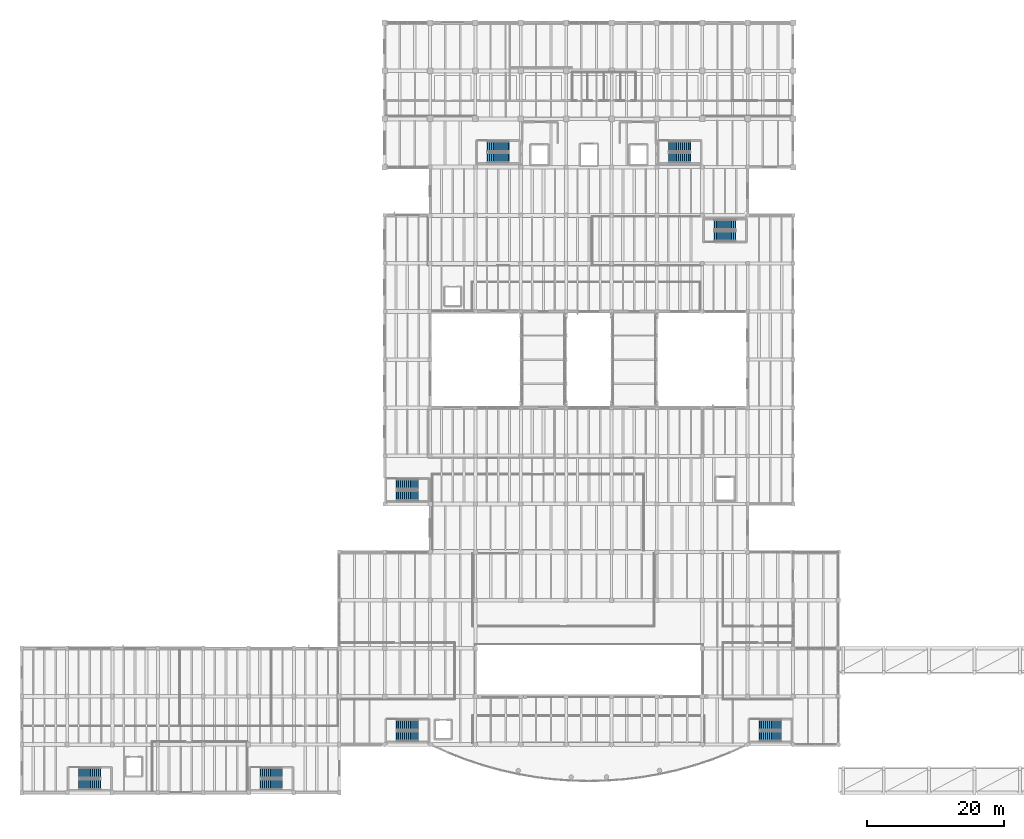
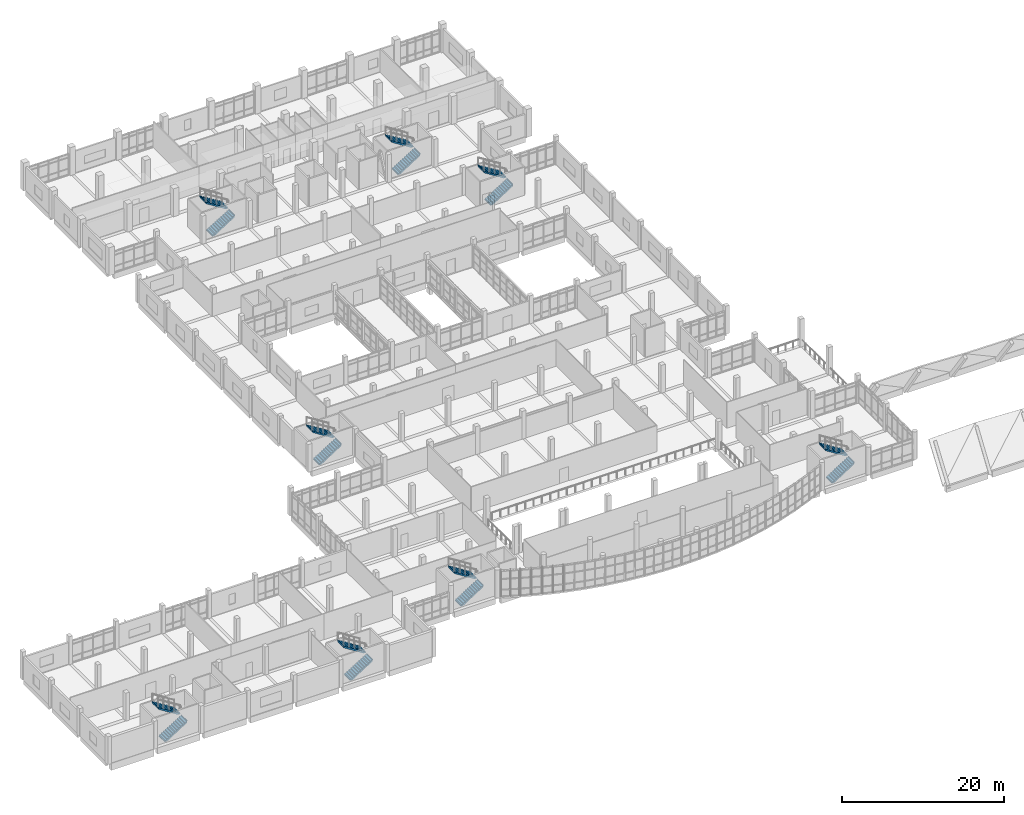
# One storey, part 56 of 67: 16 stair flights, 8 elements without a shape of their own.
"""IFC4 building model written with IfcOpenShell, lengths in metres."""

from ifc_helpers import new_model, si_unit, direction, frame, origin, place, context, subcontext, project, spatial, polyline, outline, extrude, material, type_object, element, aggregate, save


model = new_model("IFC4")

# Units and contexts
model_context = context("Model", 3, precision=1e-05, world=origin(), true_north=direction((0.0, 1.0)))
body_context = subcontext(model_context, "Body", "Model", "MODEL_VIEW")
ifc_project = project(units=[si_unit("LENGTHUNIT", "METRE"), si_unit("AREAUNIT", "SQUARE_METRE"), si_unit("VOLUMEUNIT", "CUBIC_METRE"), si_unit("PLANEANGLEUNIT", "RADIAN"), si_unit("MASSUNIT", "GRAM", prefix="KILO")], contexts=[model_context])

# Site, building, storey
site_placement = place(None, origin())
site = spatial("IfcSite", under=ifc_project, at=site_placement, CompositionType="ELEMENT")
building_placement = place(site_placement, origin())
building = spatial("IfcBuilding", under=site, at=building_placement, Name="Ciguamira Faculty of Natural Sciences", CompositionType="ELEMENT")
storey_placement = place(building_placement, frame((0.0, 0.0, 8.39990234375)))
storey = spatial("IfcBuildingStorey", under=building, at=storey_placement, Name="L02", CompositionType="ELEMENT", Elevation=8.39990234375)

# Stair, stair flights
ifc_material_1 = material(Name="Concrete C40/50", Category="concrete")
stair_type_1 = type_object("IfcStairType", Name="Stair_STR-01", PredefinedType="HALF_TURN_STAIR", material=ifc_material_1)
stair_1_placement = place(storey_placement, origin())
stair_1 = element("IfcStair", 1, at=stair_1_placement, inside=storey, type_object=stair_type_1, Name="L02 Tower West Exit Stair", PredefinedType="HALF_TURN_STAIR")
ifc_material_2 = material(Name="Precast concrete C40/50", Category="concrete")
stair_flight_type_1 = type_object("IfcStairFlightType", Name="StairFlight_SFL-01", PredefinedType="STRAIGHT", material=ifc_material_2)
stair_flight_1_placement = place(storey_placement, frame((72.260009765625, 95.35009765625, 0.0), z_axis=(0.0, 0.0, 1.0), x_axis=(1.0, 0.0, 0.0)))
stair_flight_1 = element("IfcStairFlight", 2, at=stair_flight_1_placement, type_object=stair_flight_type_1, Name="ST-T1 flight 1", NumberOfRisers=12, NumberOfTreads=11, PredefinedType="STRAIGHT", RiserHeight=0.175, TreadLength=0.28, context=body_context, shape_type="SweptSolid", body=[
    extrude(outline(polyline([(-0.080078125, -0.034912109375), (-0.080078125, 0.0), (0.0, 0.0), (0.0, 0.175048828125), (0.280029296875, 0.175048828125), (0.280029296875, 0.35009765625), (0.56005859375, 0.35009765625), (0.56005859375, 0.52490234375), (0.840087890625, 0.52490234375), (0.840087890625, 0.699951171875), (1.1201171875, 0.699951171875), (1.1201171875, 0.875), (1.39990234375, 0.875), (1.39990234375, 1.050048828125), (1.679931640625, 1.050048828125), (1.679931640625, 1.22509765625), (1.9599609375, 1.22509765625), (1.9599609375, 1.39990234375), (2.239990234375, 1.39990234375), (2.239990234375, 1.574951171875), (2.52001953125, 1.574951171875), (2.52001953125, 1.75), (2.800048828125, 1.75), (2.800048828125, 1.925048828125), (3.080078125, 1.925048828125), (3.080078125, 2.10009765625), (3.16015625, 2.10009765625), (3.16015625, 2.065185546875), (3.080078125, 1.748291015625), (0.28271484375, -0.034912109375), (-0.080078125, -0.034912109375)])), frame((0.0, 0.75, 0.0), z_axis=(0.0, -1.0, 0.0), x_axis=(1.0, 0.0, 0.0)), (0.0, 0.0, 1.0), 1.5),
])
stair_flight_2_placement = place(storey_placement, frame((75.340087890625, 97.010009765625, 2.10009765625), z_axis=(0.0, 0.0, 1.0), x_axis=(-1.0, 0.0, 0.0)))
stair_flight_2 = element("IfcStairFlight", 3, at=stair_flight_2_placement, type_object=stair_flight_type_1, Name="ST-T1 flight 2", NumberOfRisers=12, NumberOfTreads=11, PredefinedType="STRAIGHT", RiserHeight=0.175, TreadLength=0.28, context=body_context, shape_type="SweptSolid", body=[
    extrude(outline(polyline([(-0.080078125, -0.034912109375), (-0.080078125, 0.0), (0.0, 0.0), (0.0, 0.175048828125), (0.280029296875, 0.175048828125), (0.280029296875, 0.35009765625), (0.56005859375, 0.35009765625), (0.56005859375, 0.52490234375), (0.840087890625, 0.52490234375), (0.840087890625, 0.699951171875), (1.1201171875, 0.699951171875), (1.1201171875, 0.875), (1.39990234375, 0.875), (1.39990234375, 1.050048828125), (1.679931640625, 1.050048828125), (1.679931640625, 1.22509765625), (1.9599609375, 1.22509765625), (1.9599609375, 1.39990234375), (2.239990234375, 1.39990234375), (2.239990234375, 1.574951171875), (2.52001953125, 1.574951171875), (2.52001953125, 1.75), (2.800048828125, 1.75), (2.800048828125, 1.925048828125), (3.080078125, 1.925048828125), (3.080078125, 2.10009765625), (3.16015625, 2.10009765625), (3.16015625, 2.065185546875), (3.080078125, 1.748291015625), (0.28271484375, -0.034912109375), (-0.080078125, -0.034912109375)])), frame((0.0, 0.75, 0.0), z_axis=(0.0, -1.0, 0.0), x_axis=(1.0, 0.0, 0.0)), (0.0, 0.0, 1.0), 1.5),
])
aggregate(stair_1, [stair_flight_1, stair_flight_2])

stair_2_placement = place(storey_placement, origin())
stair_2 = element("IfcStair", 4, at=stair_2_placement, inside=storey, type_object=stair_type_1, Name="L02 Atrium West Exit Stair", PredefinedType="HALF_TURN_STAIR")
stair_flight_3_placement = place(storey_placement, frame((59.06005859375, 11.199951171875, 0.0), z_axis=(0.0, 0.0, 1.0), x_axis=(1.0, 0.0, 0.0)))
stair_flight_3 = element("IfcStairFlight", 5, at=stair_flight_3_placement, type_object=stair_flight_type_1, Name="ST-A1 flight 1", NumberOfRisers=12, NumberOfTreads=11, PredefinedType="STRAIGHT", RiserHeight=0.175, TreadLength=0.28, context=body_context, shape_type="SweptSolid", body=[
    extrude(outline(polyline([(-0.080078125, -0.034912109375), (-0.080078125, 0.0), (0.0, 0.0), (0.0, 0.175048828125), (0.280029296875, 0.175048828125), (0.280029296875, 0.35009765625), (0.56005859375, 0.35009765625), (0.56005859375, 0.52490234375), (0.840087890625, 0.52490234375), (0.840087890625, 0.699951171875), (1.1201171875, 0.699951171875), (1.1201171875, 0.875), (1.39990234375, 0.875), (1.39990234375, 1.050048828125), (1.679931640625, 1.050048828125), (1.679931640625, 1.22509765625), (1.9599609375, 1.22509765625), (1.9599609375, 1.39990234375), (2.239990234375, 1.39990234375), (2.239990234375, 1.574951171875), (2.52001953125, 1.574951171875), (2.52001953125, 1.75), (2.800048828125, 1.75), (2.800048828125, 1.925048828125), (3.080078125, 1.925048828125), (3.080078125, 2.10009765625), (3.16015625, 2.10009765625), (3.16015625, 2.065185546875), (3.080078125, 1.748291015625), (0.28271484375, -0.034912109375), (-0.080078125, -0.034912109375)])), frame((0.0, 0.75, 0.0), z_axis=(0.0, -1.0, 0.0), x_axis=(1.0, 0.0, 0.0)), (0.0, 0.0, 1.0), 1.5),
])
stair_flight_4_placement = place(storey_placement, frame((62.139892578125, 12.860107421875, 2.10009765625), z_axis=(0.0, 0.0, 1.0), x_axis=(-1.0, 0.0, 0.0)))
stair_flight_4 = element("IfcStairFlight", 6, at=stair_flight_4_placement, type_object=stair_flight_type_1, Name="ST-A1 flight 2", NumberOfRisers=12, NumberOfTreads=11, PredefinedType="STRAIGHT", RiserHeight=0.175, TreadLength=0.28, context=body_context, shape_type="SweptSolid", body=[
    extrude(outline(polyline([(-0.080078125, -0.034912109375), (-0.080078125, 0.0), (0.0, 0.0), (0.0, 0.175048828125), (0.280029296875, 0.175048828125), (0.280029296875, 0.35009765625), (0.56005859375, 0.35009765625), (0.56005859375, 0.52490234375), (0.840087890625, 0.52490234375), (0.840087890625, 0.699951171875), (1.1201171875, 0.699951171875), (1.1201171875, 0.875), (1.39990234375, 0.875), (1.39990234375, 1.050048828125), (1.679931640625, 1.050048828125), (1.679931640625, 1.22509765625), (1.9599609375, 1.22509765625), (1.9599609375, 1.39990234375), (2.239990234375, 1.39990234375), (2.239990234375, 1.574951171875), (2.52001953125, 1.574951171875), (2.52001953125, 1.75), (2.800048828125, 1.75), (2.800048828125, 1.925048828125), (3.080078125, 1.925048828125), (3.080078125, 2.10009765625), (3.16015625, 2.10009765625), (3.16015625, 2.065185546875), (3.080078125, 1.748291015625), (0.28271484375, -0.034912109375), (-0.080078125, -0.034912109375)])), frame((0.0, 0.75, 0.0), z_axis=(0.0, -1.0, 0.0), x_axis=(1.0, 0.0, 0.0)), (0.0, 0.0, 1.0), 1.5),
])
aggregate(stair_2, [stair_flight_3, stair_flight_4])

stair_3_placement = place(storey_placement, origin())
stair_3 = element("IfcStair", 7, at=stair_3_placement, inside=storey, type_object=stair_type_1, Name="L02 Commons West Exit Stair", PredefinedType="HALF_TURN_STAIR")
stair_flight_5_placement = place(storey_placement, frame((12.860107421875, 4.199951171875, 0.0), z_axis=(0.0, 0.0, 1.0), x_axis=(1.0, 0.0, 0.0)))
stair_flight_5 = element("IfcStairFlight", 8, at=stair_flight_5_placement, type_object=stair_flight_type_1, Name="ST-C1 flight 1", NumberOfRisers=12, NumberOfTreads=11, PredefinedType="STRAIGHT", RiserHeight=0.175, TreadLength=0.28, context=body_context, shape_type="SweptSolid", body=[
    extrude(outline(polyline([(-0.080078125, -0.034912109375), (-0.080078125, 0.0), (0.0, 0.0), (0.0, 0.175048828125), (0.280029296875, 0.175048828125), (0.280029296875, 0.35009765625), (0.56005859375, 0.35009765625), (0.56005859375, 0.52490234375), (0.840087890625, 0.52490234375), (0.840087890625, 0.699951171875), (1.1201171875, 0.699951171875), (1.1201171875, 0.875), (1.39990234375, 0.875), (1.39990234375, 1.050048828125), (1.679931640625, 1.050048828125), (1.679931640625, 1.22509765625), (1.9599609375, 1.22509765625), (1.9599609375, 1.39990234375), (2.239990234375, 1.39990234375), (2.239990234375, 1.574951171875), (2.52001953125, 1.574951171875), (2.52001953125, 1.75), (2.800048828125, 1.75), (2.800048828125, 1.925048828125), (3.080078125, 1.925048828125), (3.080078125, 2.10009765625), (3.16015625, 2.10009765625), (3.16015625, 2.065185546875), (3.080078125, 1.748291015625), (0.28271484375, -0.034912109375), (-0.080078125, -0.034912109375)])), frame((0.0, 0.75, 0.0), z_axis=(0.0, -1.0, 0.0), x_axis=(1.0, 0.0, 0.0)), (0.0, 0.0, 1.0), 1.5),
])
stair_flight_6_placement = place(storey_placement, frame((15.93994140625, 5.860107421875, 2.10009765625), z_axis=(0.0, 0.0, 1.0), x_axis=(-1.0, 0.0, 0.0)))
stair_flight_6 = element("IfcStairFlight", 9, at=stair_flight_6_placement, type_object=stair_flight_type_1, Name="ST-C1 flight 2", NumberOfRisers=12, NumberOfTreads=11, PredefinedType="STRAIGHT", RiserHeight=0.175, TreadLength=0.28, context=body_context, shape_type="SweptSolid", body=[
    extrude(outline(polyline([(-0.080078125, -0.034912109375), (-0.080078125, 0.0), (0.0, 0.0), (0.0, 0.175048828125), (0.280029296875, 0.175048828125), (0.280029296875, 0.35009765625), (0.56005859375, 0.35009765625), (0.56005859375, 0.52490234375), (0.840087890625, 0.52490234375), (0.840087890625, 0.699951171875), (1.1201171875, 0.699951171875), (1.1201171875, 0.875), (1.39990234375, 0.875), (1.39990234375, 1.050048828125), (1.679931640625, 1.050048828125), (1.679931640625, 1.22509765625), (1.9599609375, 1.22509765625), (1.9599609375, 1.39990234375), (2.239990234375, 1.39990234375), (2.239990234375, 1.574951171875), (2.52001953125, 1.574951171875), (2.52001953125, 1.75), (2.800048828125, 1.75), (2.800048828125, 1.925048828125), (3.080078125, 1.925048828125), (3.080078125, 2.10009765625), (3.16015625, 2.10009765625), (3.16015625, 2.065185546875), (3.080078125, 1.748291015625), (0.28271484375, -0.034912109375), (-0.080078125, -0.034912109375)])), frame((0.0, 0.75, 0.0), z_axis=(0.0, -1.0, 0.0), x_axis=(1.0, 0.0, 0.0)), (0.0, 0.0, 1.0), 1.5),
])
aggregate(stair_3, [stair_flight_5, stair_flight_6])

stair_4_placement = place(storey_placement, origin())
stair_4 = element("IfcStair", 10, at=stair_4_placement, inside=storey, type_object=stair_type_1, Name="L02 Wave Labs South-West Exit Stair", PredefinedType="HALF_TURN_STAIR")
stair_flight_7_placement = place(storey_placement, frame((59.06005859375, 46.199951171875, 0.0), z_axis=(0.0, 0.0, 1.0), x_axis=(1.0, 0.0, 0.0)))
stair_flight_7 = element("IfcStairFlight", 11, at=stair_flight_7_placement, type_object=stair_flight_type_1, Name="ST-W1 flight 1", NumberOfRisers=12, NumberOfTreads=11, PredefinedType="STRAIGHT", RiserHeight=0.175, TreadLength=0.28, context=body_context, shape_type="SweptSolid", body=[
    extrude(outline(polyline([(-0.080078125, -0.034912109375), (-0.080078125, 0.0), (0.0, 0.0), (0.0, 0.175048828125), (0.280029296875, 0.175048828125), (0.280029296875, 0.35009765625), (0.56005859375, 0.35009765625), (0.56005859375, 0.52490234375), (0.840087890625, 0.52490234375), (0.840087890625, 0.699951171875), (1.1201171875, 0.699951171875), (1.1201171875, 0.875), (1.39990234375, 0.875), (1.39990234375, 1.050048828125), (1.679931640625, 1.050048828125), (1.679931640625, 1.22509765625), (1.9599609375, 1.22509765625), (1.9599609375, 1.39990234375), (2.239990234375, 1.39990234375), (2.239990234375, 1.574951171875), (2.52001953125, 1.574951171875), (2.52001953125, 1.75), (2.800048828125, 1.75), (2.800048828125, 1.925048828125), (3.080078125, 1.925048828125), (3.080078125, 2.10009765625), (3.16015625, 2.10009765625), (3.16015625, 2.065185546875), (3.080078125, 1.748291015625), (0.28271484375, -0.034912109375), (-0.080078125, -0.034912109375)])), frame((0.0, 0.75, 0.0), z_axis=(0.0, -1.0, 0.0), x_axis=(1.0, 0.0, 0.0)), (0.0, 0.0, 1.0), 1.5),
])
stair_flight_8_placement = place(storey_placement, frame((62.139892578125, 47.860107421875, 2.10009765625), z_axis=(0.0, 0.0, 1.0), x_axis=(-1.0, 0.0, 0.0)))
stair_flight_8 = element("IfcStairFlight", 12, at=stair_flight_8_placement, type_object=stair_flight_type_1, Name="ST-W1 flight 2", NumberOfRisers=12, NumberOfTreads=11, PredefinedType="STRAIGHT", RiserHeight=0.175, TreadLength=0.28, context=body_context, shape_type="SweptSolid", body=[
    extrude(outline(polyline([(-0.080078125, -0.034912109375), (-0.080078125, 0.0), (0.0, 0.0), (0.0, 0.175048828125), (0.280029296875, 0.175048828125), (0.280029296875, 0.35009765625), (0.56005859375, 0.35009765625), (0.56005859375, 0.52490234375), (0.840087890625, 0.52490234375), (0.840087890625, 0.699951171875), (1.1201171875, 0.699951171875), (1.1201171875, 0.875), (1.39990234375, 0.875), (1.39990234375, 1.050048828125), (1.679931640625, 1.050048828125), (1.679931640625, 1.22509765625), (1.9599609375, 1.22509765625), (1.9599609375, 1.39990234375), (2.239990234375, 1.39990234375), (2.239990234375, 1.574951171875), (2.52001953125, 1.574951171875), (2.52001953125, 1.75), (2.800048828125, 1.75), (2.800048828125, 1.925048828125), (3.080078125, 1.925048828125), (3.080078125, 2.10009765625), (3.16015625, 2.10009765625), (3.16015625, 2.065185546875), (3.080078125, 1.748291015625), (0.28271484375, -0.034912109375), (-0.080078125, -0.034912109375)])), frame((0.0, 0.75, 0.0), z_axis=(0.0, -1.0, 0.0), x_axis=(1.0, 0.0, 0.0)), (0.0, 0.0, 1.0), 1.5),
])
aggregate(stair_4, [stair_flight_7, stair_flight_8])

stair_type_2 = type_object("IfcStairType", Name="Stair_STR-02", PredefinedType="HALF_TURN_STAIR", material=ifc_material_1)
stair_5_placement = place(storey_placement, origin())
stair_5 = element("IfcStair", 13, at=stair_5_placement, inside=storey, type_object=stair_type_2, Name="L02 Tower East Exit Stair", PredefinedType="HALF_TURN_STAIR")
stair_flight_type_2 = type_object("IfcStairFlightType", Name="StairFlight_SFL-02", PredefinedType="STRAIGHT", material=ifc_material_2)
stair_flight_9_placement = place(storey_placement, frame((98.659912109375, 95.35009765625, 0.0), z_axis=(0.0, 0.0, 1.0), x_axis=(1.0, 0.0, 0.0)))
stair_flight_9 = element("IfcStairFlight", 14, at=stair_flight_9_placement, type_object=stair_flight_type_2, Name="ST-T2 flight 1", NumberOfRisers=12, NumberOfTreads=11, PredefinedType="STRAIGHT", RiserHeight=0.175, TreadLength=0.28, context=body_context, shape_type="SweptSolid", body=[
    extrude(outline(polyline([(-0.080078125, -0.034912109375), (-0.080078125, 0.0), (0.0, 0.0), (0.0, 0.175048828125), (0.280029296875, 0.175048828125), (0.280029296875, 0.35009765625), (0.56005859375, 0.35009765625), (0.56005859375, 0.52490234375), (0.840087890625, 0.52490234375), (0.840087890625, 0.699951171875), (1.1201171875, 0.699951171875), (1.1201171875, 0.875), (1.39990234375, 0.875), (1.39990234375, 1.050048828125), (1.679931640625, 1.050048828125), (1.679931640625, 1.22509765625), (1.9599609375, 1.22509765625), (1.9599609375, 1.39990234375), (2.239990234375, 1.39990234375), (2.239990234375, 1.574951171875), (2.52001953125, 1.574951171875), (2.52001953125, 1.75), (2.800048828125, 1.75), (2.800048828125, 1.925048828125), (3.080078125, 1.925048828125), (3.080078125, 2.10009765625), (3.16015625, 2.10009765625), (3.16015625, 2.065185546875), (3.080078125, 1.748291015625), (0.28271484375, -0.034912109375), (-0.080078125, -0.034912109375)])), frame((0.0, 0.75, 0.0), z_axis=(0.0, -1.0, 0.0), x_axis=(1.0, 0.0, 0.0)), (0.0, 0.0, 1.0), 1.5),
])
stair_flight_10_placement = place(storey_placement, frame((101.739990234375, 97.010009765625, 2.10009765625), z_axis=(0.0, 0.0, 1.0), x_axis=(-1.0, 0.0, 0.0)))
stair_flight_10 = element("IfcStairFlight", 15, at=stair_flight_10_placement, type_object=stair_flight_type_2, Name="ST-T2 flight 2", NumberOfRisers=12, NumberOfTreads=11, PredefinedType="STRAIGHT", RiserHeight=0.175, TreadLength=0.28, context=body_context, shape_type="SweptSolid", body=[
    extrude(outline(polyline([(-0.080078125, -0.034912109375), (-0.080078125, 0.0), (0.0, 0.0), (0.0, 0.175048828125), (0.280029296875, 0.175048828125), (0.280029296875, 0.35009765625), (0.56005859375, 0.35009765625), (0.56005859375, 0.52490234375), (0.840087890625, 0.52490234375), (0.840087890625, 0.699951171875), (1.1201171875, 0.699951171875), (1.1201171875, 0.875), (1.39990234375, 0.875), (1.39990234375, 1.050048828125), (1.679931640625, 1.050048828125), (1.679931640625, 1.22509765625), (1.9599609375, 1.22509765625), (1.9599609375, 1.39990234375), (2.239990234375, 1.39990234375), (2.239990234375, 1.574951171875), (2.52001953125, 1.574951171875), (2.52001953125, 1.75), (2.800048828125, 1.75), (2.800048828125, 1.925048828125), (3.080078125, 1.925048828125), (3.080078125, 2.10009765625), (3.16015625, 2.10009765625), (3.16015625, 2.065185546875), (3.080078125, 1.748291015625), (0.28271484375, -0.034912109375), (-0.080078125, -0.034912109375)])), frame((0.0, 0.75, 0.0), z_axis=(0.0, -1.0, 0.0), x_axis=(1.0, 0.0, 0.0)), (0.0, 0.0, 1.0), 1.5),
])
aggregate(stair_5, [stair_flight_9, stair_flight_10])

stair_6_placement = place(storey_placement, origin())
stair_6 = element("IfcStair", 16, at=stair_6_placement, inside=storey, type_object=stair_type_2, Name="L02 Atrium East Exit Stair", PredefinedType="HALF_TURN_STAIR")
stair_flight_11_placement = place(storey_placement, frame((111.860107421875, 11.199951171875, 0.0), z_axis=(0.0, 0.0, 1.0), x_axis=(1.0, 0.0, 0.0)))
stair_flight_11 = element("IfcStairFlight", 17, at=stair_flight_11_placement, type_object=stair_flight_type_2, Name="ST-A2 flight 1", NumberOfRisers=12, NumberOfTreads=11, PredefinedType="STRAIGHT", RiserHeight=0.175, TreadLength=0.28, context=body_context, shape_type="SweptSolid", body=[
    extrude(outline(polyline([(-0.080078125, -0.034912109375), (-0.080078125, 0.0), (0.0, 0.0), (0.0, 0.175048828125), (0.280029296875, 0.175048828125), (0.280029296875, 0.35009765625), (0.56005859375, 0.35009765625), (0.56005859375, 0.52490234375), (0.840087890625, 0.52490234375), (0.840087890625, 0.699951171875), (1.1201171875, 0.699951171875), (1.1201171875, 0.875), (1.39990234375, 0.875), (1.39990234375, 1.050048828125), (1.679931640625, 1.050048828125), (1.679931640625, 1.22509765625), (1.9599609375, 1.22509765625), (1.9599609375, 1.39990234375), (2.239990234375, 1.39990234375), (2.239990234375, 1.574951171875), (2.52001953125, 1.574951171875), (2.52001953125, 1.75), (2.800048828125, 1.75), (2.800048828125, 1.925048828125), (3.080078125, 1.925048828125), (3.080078125, 2.10009765625), (3.16015625, 2.10009765625), (3.16015625, 2.065185546875), (3.080078125, 1.748291015625), (0.28271484375, -0.034912109375), (-0.080078125, -0.034912109375)])), frame((0.0, 0.75, 0.0), z_axis=(0.0, -1.0, 0.0), x_axis=(1.0, 0.0, 0.0)), (0.0, 0.0, 1.0), 1.5),
])
stair_flight_12_placement = place(storey_placement, frame((114.93994140625, 12.860107421875, 2.10009765625), z_axis=(0.0, 0.0, 1.0), x_axis=(-1.0, 0.0, 0.0)))
stair_flight_12 = element("IfcStairFlight", 18, at=stair_flight_12_placement, type_object=stair_flight_type_2, Name="ST-A2 flight 2", NumberOfRisers=12, NumberOfTreads=11, PredefinedType="STRAIGHT", RiserHeight=0.175, TreadLength=0.28, context=body_context, shape_type="SweptSolid", body=[
    extrude(outline(polyline([(-0.080078125, -0.034912109375), (-0.080078125, 0.0), (0.0, 0.0), (0.0, 0.175048828125), (0.280029296875, 0.175048828125), (0.280029296875, 0.35009765625), (0.56005859375, 0.35009765625), (0.56005859375, 0.52490234375), (0.840087890625, 0.52490234375), (0.840087890625, 0.699951171875), (1.1201171875, 0.699951171875), (1.1201171875, 0.875), (1.39990234375, 0.875), (1.39990234375, 1.050048828125), (1.679931640625, 1.050048828125), (1.679931640625, 1.22509765625), (1.9599609375, 1.22509765625), (1.9599609375, 1.39990234375), (2.239990234375, 1.39990234375), (2.239990234375, 1.574951171875), (2.52001953125, 1.574951171875), (2.52001953125, 1.75), (2.800048828125, 1.75), (2.800048828125, 1.925048828125), (3.080078125, 1.925048828125), (3.080078125, 2.10009765625), (3.16015625, 2.10009765625), (3.16015625, 2.065185546875), (3.080078125, 1.748291015625), (0.28271484375, -0.034912109375), (-0.080078125, -0.034912109375)])), frame((0.0, 0.75, 0.0), z_axis=(0.0, -1.0, 0.0), x_axis=(1.0, 0.0, 0.0)), (0.0, 0.0, 1.0), 1.5),
])
aggregate(stair_6, [stair_flight_11, stair_flight_12])

stair_7_placement = place(storey_placement, origin())
stair_7 = element("IfcStair", 19, at=stair_7_placement, inside=storey, type_object=stair_type_2, Name="L02 Commons East Exit Stair", PredefinedType="HALF_TURN_STAIR")
stair_flight_13_placement = place(storey_placement, frame((39.260009765625, 4.199951171875, 0.0), z_axis=(0.0, 0.0, 1.0), x_axis=(1.0, 0.0, 0.0)))
stair_flight_13 = element("IfcStairFlight", 20, at=stair_flight_13_placement, type_object=stair_flight_type_2, Name="ST-C2 flight 1", NumberOfRisers=12, NumberOfTreads=11, PredefinedType="STRAIGHT", RiserHeight=0.175, TreadLength=0.28, context=body_context, shape_type="SweptSolid", body=[
    extrude(outline(polyline([(-0.080078125, -0.034912109375), (-0.080078125, 0.0), (0.0, 0.0), (0.0, 0.175048828125), (0.280029296875, 0.175048828125), (0.280029296875, 0.35009765625), (0.56005859375, 0.35009765625), (0.56005859375, 0.52490234375), (0.840087890625, 0.52490234375), (0.840087890625, 0.699951171875), (1.1201171875, 0.699951171875), (1.1201171875, 0.875), (1.39990234375, 0.875), (1.39990234375, 1.050048828125), (1.679931640625, 1.050048828125), (1.679931640625, 1.22509765625), (1.9599609375, 1.22509765625), (1.9599609375, 1.39990234375), (2.239990234375, 1.39990234375), (2.239990234375, 1.574951171875), (2.52001953125, 1.574951171875), (2.52001953125, 1.75), (2.800048828125, 1.75), (2.800048828125, 1.925048828125), (3.080078125, 1.925048828125), (3.080078125, 2.10009765625), (3.16015625, 2.10009765625), (3.16015625, 2.065185546875), (3.080078125, 1.748291015625), (0.28271484375, -0.034912109375), (-0.080078125, -0.034912109375)])), frame((0.0, 0.75, 0.0), z_axis=(0.0, -1.0, 0.0), x_axis=(1.0, 0.0, 0.0)), (0.0, 0.0, 1.0), 1.5),
])
stair_flight_14_placement = place(storey_placement, frame((42.340087890625, 5.860107421875, 2.10009765625), z_axis=(0.0, 0.0, 1.0), x_axis=(-1.0, 0.0, 0.0)))
stair_flight_14 = element("IfcStairFlight", 21, at=stair_flight_14_placement, type_object=stair_flight_type_2, Name="ST-C2 flight 2", NumberOfRisers=12, NumberOfTreads=11, PredefinedType="STRAIGHT", RiserHeight=0.175, TreadLength=0.28, context=body_context, shape_type="SweptSolid", body=[
    extrude(outline(polyline([(-0.080078125, -0.034912109375), (-0.080078125, 0.0), (0.0, 0.0), (0.0, 0.175048828125), (0.280029296875, 0.175048828125), (0.280029296875, 0.35009765625), (0.56005859375, 0.35009765625), (0.56005859375, 0.52490234375), (0.840087890625, 0.52490234375), (0.840087890625, 0.699951171875), (1.1201171875, 0.699951171875), (1.1201171875, 0.875), (1.39990234375, 0.875), (1.39990234375, 1.050048828125), (1.679931640625, 1.050048828125), (1.679931640625, 1.22509765625), (1.9599609375, 1.22509765625), (1.9599609375, 1.39990234375), (2.239990234375, 1.39990234375), (2.239990234375, 1.574951171875), (2.52001953125, 1.574951171875), (2.52001953125, 1.75), (2.800048828125, 1.75), (2.800048828125, 1.925048828125), (3.080078125, 1.925048828125), (3.080078125, 2.10009765625), (3.16015625, 2.10009765625), (3.16015625, 2.065185546875), (3.080078125, 1.748291015625), (0.28271484375, -0.034912109375), (-0.080078125, -0.034912109375)])), frame((0.0, 0.75, 0.0), z_axis=(0.0, -1.0, 0.0), x_axis=(1.0, 0.0, 0.0)), (0.0, 0.0, 1.0), 1.5),
])
aggregate(stair_7, [stair_flight_13, stair_flight_14])

stair_8_placement = place(storey_placement, origin())
stair_8 = element("IfcStair", 22, at=stair_8_placement, inside=storey, type_object=stair_type_2, Name="L02 Wave Labs North-East Exit Stair", PredefinedType="HALF_TURN_STAIR")
stair_flight_15_placement = place(storey_placement, frame((105.260009765625, 83.949951171875, 0.0), z_axis=(0.0, 0.0, 1.0), x_axis=(1.0, 0.0, 0.0)))
stair_flight_15 = element("IfcStairFlight", 23, at=stair_flight_15_placement, type_object=stair_flight_type_2, Name="ST-W2 flight 1", NumberOfRisers=12, NumberOfTreads=11, PredefinedType="STRAIGHT", RiserHeight=0.175, TreadLength=0.28, context=body_context, shape_type="SweptSolid", body=[
    extrude(outline(polyline([(-0.080078125, -0.034912109375), (-0.080078125, 0.0), (0.0, 0.0), (0.0, 0.175048828125), (0.280029296875, 0.175048828125), (0.280029296875, 0.35009765625), (0.56005859375, 0.35009765625), (0.56005859375, 0.52490234375), (0.840087890625, 0.52490234375), (0.840087890625, 0.699951171875), (1.1201171875, 0.699951171875), (1.1201171875, 0.875), (1.39990234375, 0.875), (1.39990234375, 1.050048828125), (1.679931640625, 1.050048828125), (1.679931640625, 1.22509765625), (1.9599609375, 1.22509765625), (1.9599609375, 1.39990234375), (2.239990234375, 1.39990234375), (2.239990234375, 1.574951171875), (2.52001953125, 1.574951171875), (2.52001953125, 1.75), (2.800048828125, 1.75), (2.800048828125, 1.925048828125), (3.080078125, 1.925048828125), (3.080078125, 2.10009765625), (3.16015625, 2.10009765625), (3.16015625, 2.065185546875), (3.080078125, 1.748291015625), (0.28271484375, -0.034912109375), (-0.080078125, -0.034912109375)])), frame((0.0, 0.75, 0.0), z_axis=(0.0, -1.0, 0.0), x_axis=(1.0, 0.0, 0.0)), (0.0, 0.0, 1.0), 1.5),
])
stair_flight_16_placement = place(storey_placement, frame((108.340087890625, 85.610107421875, 2.10009765625), z_axis=(0.0, 0.0, 1.0), x_axis=(-1.0, 0.0, 0.0)))
stair_flight_16 = element("IfcStairFlight", 24, at=stair_flight_16_placement, type_object=stair_flight_type_2, Name="ST-W2 flight 2", NumberOfRisers=12, NumberOfTreads=11, PredefinedType="STRAIGHT", RiserHeight=0.175, TreadLength=0.28, context=body_context, shape_type="SweptSolid", body=[
    extrude(outline(polyline([(-0.080078125, -0.034912109375), (-0.080078125, 0.0), (0.0, 0.0), (0.0, 0.175048828125), (0.280029296875, 0.175048828125), (0.280029296875, 0.35009765625), (0.56005859375, 0.35009765625), (0.56005859375, 0.52490234375), (0.840087890625, 0.52490234375), (0.840087890625, 0.699951171875), (1.1201171875, 0.699951171875), (1.1201171875, 0.875), (1.39990234375, 0.875), (1.39990234375, 1.050048828125), (1.679931640625, 1.050048828125), (1.679931640625, 1.22509765625), (1.9599609375, 1.22509765625), (1.9599609375, 1.39990234375), (2.239990234375, 1.39990234375), (2.239990234375, 1.574951171875), (2.52001953125, 1.574951171875), (2.52001953125, 1.75), (2.800048828125, 1.75), (2.800048828125, 1.925048828125), (3.080078125, 1.925048828125), (3.080078125, 2.10009765625), (3.16015625, 2.10009765625), (3.16015625, 2.065185546875), (3.080078125, 1.748291015625), (0.28271484375, -0.034912109375), (-0.080078125, -0.034912109375)])), frame((0.0, 0.75, 0.0), z_axis=(0.0, -1.0, 0.0), x_axis=(1.0, 0.0, 0.0)), (0.0, 0.0, 1.0), 1.5),
])
aggregate(stair_8, [stair_flight_15, stair_flight_16])

save(model, "model.ifc")
